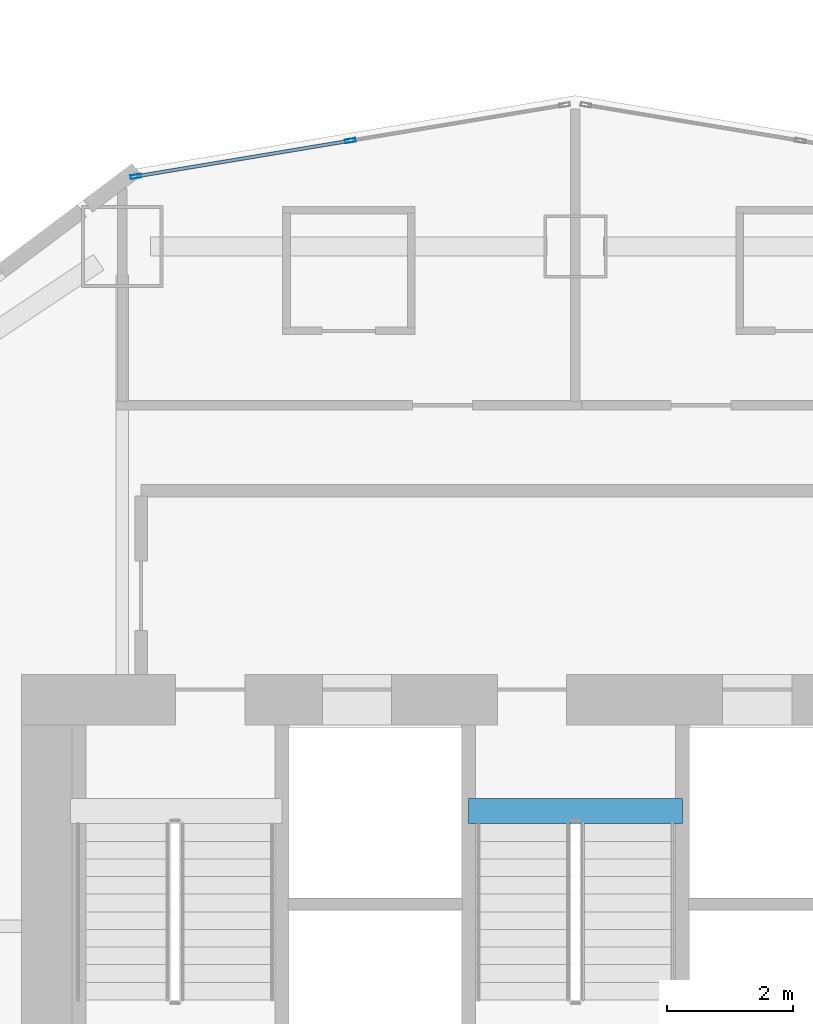
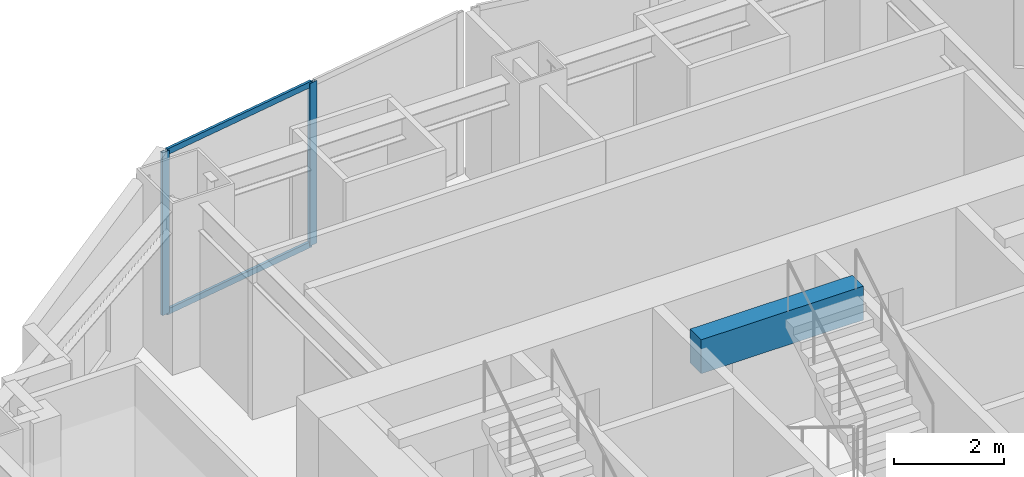
# One storey, part 2 of 20: 4 members, 1 beam, 1 element without a shape of its own.
"""IFC4 building model written with IfcOpenShell, lengths in metres."""

import ifcopenshell
import ifcopenshell.guid

model = None  # the IFC model being written
_history = None  # IfcOwnerHistory: only IFC2X3 demands one
_inside = {}  # id of a spatial element -> (the spatial element, [elements in it])
_under = {}  # id of a project, library or spatial element -> (it, [spatial elements below it])
_declared = {}  # id of a project -> (the project, [libraries it declares])
_typed = {}  # id of a type object -> (the type object, [elements of that type])
_made_of = {}  # id of a material, layer set ... -> (it, [elements and type objects made of it])


def new_model(schema):
    """Start an empty IFC model of exactly this schema.

    Asked for "IFC4X3", IfcOpenShell would pick the latest addendum, in which some entities
    have other attributes; the version numbers below select the first issue.
    IFC2X3 requires an IfcOwnerHistory on every rooted entity: one is made here for all.
    """
    global model, _history
    if schema == "IFC4X3":
        model = ifcopenshell.file(schema_version=(4, 3, 0, 0))
    else:
        model = ifcopenshell.file(schema=schema)
    _inside.clear()
    _under.clear()
    _declared.clear()
    _typed.clear()
    _made_of.clear()
    _history = None
    if model.schema == "IFC2X3":
        org = make("IfcOrganization", Name="unknown")
        user = make(
            "IfcPersonAndOrganization",
            ThePerson=make("IfcPerson", FamilyName="unknown"),
            TheOrganization=org,
        )
        app = make(
            "IfcApplication",
            ApplicationDeveloper=org,
            Version="unknown",
            ApplicationFullName="unknown",
            ApplicationIdentifier="unknown",
        )
        _history = make(
            "IfcOwnerHistory",
            OwningUser=user,
            OwningApplication=app,
            ChangeAction="ADDED",
            CreationDate=0,
        )
    return model


def make(cls, **values):
    """One entity of the class cls with the attributes given. An attribute that is None is left unset."""
    return model.create_entity(
        cls, **{name: value for name, value in values.items() if value is not None}
    )


def rooted(cls, **values):
    """An entity with a GlobalId (a new one), such as an element, a storey or a relation."""
    return make(cls, GlobalId=ifcopenshell.guid.new(), OwnerHistory=_history, **values)


def si_unit(unit_type, name, prefix=None):
    """IfcSIUnit, for example si_unit("LENGTHUNIT", "METRE", prefix="MILLI")."""
    return make("IfcSIUnit", UnitType=unit_type, Prefix=prefix, Name=name)


def assignment(units):
    """IfcUnitAssignment: the units of a project."""
    return None if units is None else make("IfcUnitAssignment", Units=units)


def point(xyz):
    """IfcCartesianPoint."""
    return None if xyz is None else make("IfcCartesianPoint", Coordinates=xyz)


def direction(xyz):
    """IfcDirection."""
    return None if xyz is None else make("IfcDirection", DirectionRatios=xyz)


def frame(location, z_axis=None, x_axis=None):
    """IfcAxis2Placement3D, a coordinate frame: its origin and axes. An axis left out is left unset."""
    return make(
        "IfcAxis2Placement3D",
        Location=point(location),
        Axis=direction(z_axis),
        RefDirection=direction(x_axis),
    )


def frame_2d(location, x_axis=None):
    """IfcAxis2Placement2D, a coordinate frame in the plane: its origin and x axis."""
    return make(
        "IfcAxis2Placement2D", Location=point(location), RefDirection=direction(x_axis)
    )


def origin():
    """The frame at (0, 0, 0) with its axes left unset."""
    return frame((0.0, 0.0, 0.0))


def origin_2d():
    """The frame at (0, 0) in the plane with its x axis left unset."""
    return frame_2d((0.0, 0.0))


def place(relative_to, where):
    """IfcLocalPlacement: puts the frame where relative to a parent placement (None: the world)."""
    return make(
        "IfcLocalPlacement", PlacementRelTo=relative_to, RelativePlacement=where
    )


def context(
    kind, dimensions, precision=None, world=None, true_north=None, identifier=None
):
    """IfcGeometricRepresentationContext, for example the 3D "Model" context."""
    return make(
        "IfcGeometricRepresentationContext",
        ContextIdentifier=identifier,
        ContextType=kind,
        CoordinateSpaceDimension=dimensions,
        Precision=precision,
        WorldCoordinateSystem=world,
        TrueNorth=true_north,
    )


def subcontext(parent, identifier, kind, view, scale=None):
    """IfcGeometricRepresentationSubContext, for example "Body" below "Model"."""
    return make(
        "IfcGeometricRepresentationSubContext",
        ContextIdentifier=identifier,
        ContextType=kind,
        ParentContext=parent,
        TargetScale=scale,
        TargetView=view,
    )


def project(units=None, contexts=None):
    """IfcProject with its units and contexts."""
    return rooted(
        "IfcProject",
        Name="project",
        RepresentationContexts=contexts,
        UnitsInContext=assignment(units),
    )


def spatial(cls, under=None, at=None, **own):
    """A site, building, storey or space (cls), placed at a placement, below another one or the project."""
    s = rooted(cls, ObjectPlacement=at, **own)
    if under is not None:
        _under.setdefault(under.id(), (under, []))[1].append(s)
    return s


def profile(cls, at=None, kind="AREA", **sizes):
    """A parametric profile (cls). Its sizes go by their IFC names, for example OverallWidth=200.0."""
    return make(cls, ProfileType=kind, Position=at, **sizes)


def rectangle(**sizes):
    """IfcRectangleProfileDef."""
    return profile("IfcRectangleProfileDef", **sizes)


def hollow_rectangle(**sizes):
    """IfcRectangleHollowProfileDef."""
    return profile("IfcRectangleHollowProfileDef", **sizes)


def extrude(swept, where, along, depth):
    """IfcExtrudedAreaSolid: the profile swept, set in the frame where, extruded along a direction by depth."""
    return make(
        "IfcExtrudedAreaSolid",
        SweptArea=swept,
        Position=where,
        ExtrudedDirection=direction(along),
        Depth=depth,
    )


def shape(context_of_items, identifier, shape_type, items):
    """IfcShapeRepresentation: the items that make up one representation, for example the "Body"."""
    return make(
        "IfcShapeRepresentation",
        ContextOfItems=context_of_items,
        RepresentationIdentifier=identifier,
        RepresentationType=shape_type,
        Items=items,
    )


def material(Name=None, Category=None):
    """IfcMaterial."""
    return make("IfcMaterial", Name=Name, Category=Category)


def layer(
    of_material, thickness, ventilated=None, Name=None, Category=None, Priority=None
):
    """IfcMaterialLayer: one layer of a wall or slab, of a material (None: an air gap)."""
    return make(
        "IfcMaterialLayer",
        Material=of_material,
        LayerThickness=thickness,
        IsVentilated=ventilated,
        Name=Name,
        Category=Category,
        Priority=Priority,
    )


def layer_set(layers, Name=None):
    """IfcMaterialLayerSet."""
    return make("IfcMaterialLayerSet", MaterialLayers=layers, LayerSetName=Name)


def material_profile(
    of_material, cross_section, Name=None, Category=None, Priority=None
):
    """IfcMaterialProfile: a cross section and its material."""
    return make(
        "IfcMaterialProfile",
        Name=Name,
        Material=of_material,
        Profile=cross_section,
        Priority=Priority,
        Category=Category,
    )


def profile_set(profiles, Name=None, composite=None):
    """IfcMaterialProfileSet."""
    return make(
        "IfcMaterialProfileSet",
        Name=Name,
        MaterialProfiles=profiles,
        CompositeProfile=composite,
    )


def made_of(thing, what):
    """Note that an element or type object is made of a material, layer set ...; save() writes the relation."""
    if what is not None:
        _made_of.setdefault(what.id(), (what, []))[1].append(thing)
    return thing


def type_object(cls, material=None, **own):
    """A type object (cls), such as IfcWallType, which elements share."""
    return made_of(rooted(cls, **own), material)


def element(
    cls,
    number,
    at=None,
    inside=None,
    cuts=None,
    type_object=None,
    material=None,
    context=None,
    identifier="Body",
    shape_type=None,
    held_by="IfcProductDefinitionShape",
    body=None,
    shapes=None,
    **own,
):
    """One element of the class cls, such as IfcWall. Its Tag is "e" and its number.

    at: its placement. inside: the storey or other place that contains it. cuts: it is an
    opening in that element (IfcRelVoidsElement). A single representation is given by context,
    identifier, shape_type and body (its items); several are given by shapes. held_by: the class
    of the entity that holds the representations. save() writes the other relations.
    """
    e = rooted(cls, Tag="e%d" % number, ObjectPlacement=at, **own)
    if body is not None:
        shapes = [shape(context, identifier, shape_type, body)]
    if shapes is not None:
        e.Representation = make(held_by, Representations=shapes)
    if inside is not None:
        _inside.setdefault(inside.id(), (inside, []))[1].append(e)
    if cuts is not None:
        rooted(
            "IfcRelVoidsElement", RelatingBuildingElement=cuts, RelatedOpeningElement=e
        )
    if type_object is not None:
        _typed.setdefault(type_object.id(), (type_object, []))[1].append(e)
    return made_of(e, material)


def aggregate(whole, parts):
    """IfcRelAggregates: a whole, such as a stair, and the parts it consists of."""
    return rooted("IfcRelAggregates", RelatingObject=whole, RelatedObjects=parts)


def save(model, path):
    """Write the relations noted so far, then the file.

    IfcRelAggregates (storeys below a building ...), IfcRelContainedInSpatialStructure (elements
    in a storey), IfcRelDefinesByType, IfcRelAssociatesMaterial and IfcRelDeclares: one each for
    every whole, place, type object, material and project.
    """
    for whole, parts in _under.values():
        aggregate(whole, parts)
    for where, things in _inside.values():
        rooted(
            "IfcRelContainedInSpatialStructure",
            RelatedElements=things,
            RelatingStructure=where,
        )
    for kind, things in _typed.values():
        rooted("IfcRelDefinesByType", RelatedObjects=things, RelatingType=kind)
    for what, things in _made_of.values():
        rooted("IfcRelAssociatesMaterial", RelatedObjects=things, RelatingMaterial=what)
    for by, libraries in _declared.values():
        rooted("IfcRelDeclares", RelatingContext=by, RelatedDefinitions=libraries)
    model.write(path)


model = new_model("IFC4")

# Units and contexts
model_context = context("Model", 3, precision=1e-05, world=origin(), true_north=direction((0.0, 1.0)))
body_context = subcontext(model_context, "Body", "Model", "MODEL_VIEW")
ifc_project = project(units=[si_unit("LENGTHUNIT", "METRE"), si_unit("AREAUNIT", "SQUARE_METRE"), si_unit("VOLUMEUNIT", "CUBIC_METRE"), si_unit("PLANEANGLEUNIT", "RADIAN"), si_unit("MASSUNIT", "GRAM", prefix="KILO")], contexts=[model_context])

# Site, building, storey
site_placement = place(None, origin())
site = spatial("IfcSite", under=ifc_project, at=site_placement, CompositionType="ELEMENT")
building_placement = place(site_placement, origin())
building = spatial("IfcBuilding", under=site, at=building_placement, Name="Haolan Belvedere Tower", CompositionType="ELEMENT")
storey_placement = place(building_placement, frame((0.0, 0.0, 24.0)))
storey = spatial("IfcBuildingStorey", under=building, at=storey_placement, Name="L05", CompositionType="ELEMENT", Elevation=24.0)

# Beam
ifc_material_1 = material(Name="Concrete C50/60", Category="concrete")
ifc_material_profile_1 = material_profile(ifc_material_1, rectangle(XDim=0.39990234375, YDim=0.75, at=origin_2d()), Name="Concrete C50/60")
ifc_profile_set_1 = profile_set([ifc_material_profile_1], Name="Concrete C50/60")
beam_type = type_object("IfcBeamType", Name="BM-RC400x750", PredefinedType="T_BEAM", material=ifc_profile_set_1)
beam_placement = place(storey_placement, frame((36.699951171875, 41.429931640625, 3.425048828125), z_axis=(1.0, 0.0, 0.0), x_axis=(0.0, 1.0, 0.0)))
element("IfcBeam", 1, at=beam_placement, inside=storey, type_object=beam_type, Name="L06 stair ST3 RC header trimmer beam", PredefinedType="BEAM", context=body_context, shape_type="SweptSolid", body=[
    extrude(rectangle(XDim=0.39990234375, YDim=0.75, at=origin_2d()), origin(), (0.0, 0.0, 1.0), 3.400146484375),
])

# Curtain wall, members
ifc_material_2 = material(Name="Anodised champagne-silver aluminium 6063-T6 and Low-E glass", Category="aluminium")
ifc_layer = layer(ifc_material_2, 0.1650390625, Name="Anodised champagne-silver aluminium 6063-T6 and Low-E glass")
ifc_layer_set = layer_set([ifc_layer], Name="Anodised champagne-silver aluminium 6063-T6 and Low-E glass")
curtain_wall_type = type_object("IfcCurtainWallType", Name="CW-SYS-02", PredefinedType="NOTDEFINED", material=ifc_layer_set)
curtain_wall_placement = place(storey_placement, origin())
curtain_wall = element("IfcCurtainWall", 2, at=curtain_wall_placement, inside=storey, type_object=curtain_wall_type, Name="L05 CW-SYS-02 ribbon curtain wall 43.1", PredefinedType="NOTDEFINED")
ifc_material_3 = material(Name="Anodised aluminium 6063-T6", Category="aluminium")
ifc_material_profile_2 = material_profile(ifc_material_3, hollow_rectangle(XDim=0.06005859375, YDim=0.1650390625, WallThickness=0.00390625, at=origin_2d()), Name="Anodised aluminium 6063-T6")
ifc_profile_set_2 = profile_set([ifc_material_profile_2], Name="Anodised aluminium 6063-T6")
member_type_1 = type_object("IfcMemberType", Name="CW-SYS-02-MUL", PredefinedType="MULLION", material=ifc_profile_set_2)
member_1_placement = place(storey_placement, frame((34.82421875, 52.082275390625, 0.0), z_axis=(0.0, 0.0, 1.0), x_axis=(0.16440364043, -0.9863931483, 0.0)))
member_1 = element("IfcMember", 3, at=member_1_placement, type_object=member_type_1, Name="CW-02 mullion 2", PredefinedType="MULLION", context=body_context, shape_type="SweptSolid", body=[
    extrude(hollow_rectangle(XDim=0.06005859375, YDim=0.1650390625, WallThickness=0.00390625, at=origin_2d()), origin(), (0.0, 0.0, 1.0), 3.60009765625),
])
member_2_placement = place(storey_placement, frame((31.416259765625, 51.514404296875, 0.0), z_axis=(0.0, 0.0, 1.0), x_axis=(0.16440364043, -0.9863931483, 0.0)))
member_2 = element("IfcMember", 4, at=member_2_placement, type_object=member_type_1, Name="CW-02 mullion 3", PredefinedType="MULLION", context=body_context, shape_type="SweptSolid", body=[
    extrude(hollow_rectangle(XDim=0.06005859375, YDim=0.1650390625, WallThickness=0.00390625, at=origin_2d()), origin(), (0.0, 0.0, 1.0), 3.60009765625),
])
ifc_material_profile_3 = material_profile(ifc_material_3, hollow_rectangle(XDim=0.054931640625, YDim=0.1298828125, WallThickness=0.00390625, at=origin_2d()), Name="Anodised aluminium 6063-T6")
ifc_profile_set_3 = profile_set([ifc_material_profile_3], Name="Anodised aluminium 6063-T6")
member_type_2 = type_object("IfcMemberType", Name="CW-SYS-02-TRN", PredefinedType="USERDEFINED", material=ifc_profile_set_3)
member_3_placement = place(storey_placement, frame((34.794677734375, 52.077392578125, 0.027587890625), z_axis=(-0.986395867289, -0.164387326137, 0.0), x_axis=(0.164387326137, -0.986395867289, 0.0)))
member_3 = element("IfcMember", 5, at=member_3_placement, type_object=member_type_2, Name="CW-02 transom 2.1", ObjectType="TRANSOM", PredefinedType="USERDEFINED", context=body_context, shape_type="SweptSolid", body=[
    extrude(hollow_rectangle(XDim=0.054931640625, YDim=0.1298828125, WallThickness=0.00390625, at=origin_2d()), origin(), (0.0, 0.0, 1.0), 3.39501953125),
])
member_4_placement = place(storey_placement, frame((34.794677734375, 52.077392578125, 3.572509765625), z_axis=(-0.986395867289, -0.164387326137, 0.0), x_axis=(0.164387326137, -0.986395867289, 0.0)))
member_4 = element("IfcMember", 6, at=member_4_placement, type_object=member_type_2, Name="CW-02 transom 2.2", ObjectType="TRANSOM", PredefinedType="USERDEFINED", context=body_context, shape_type="SweptSolid", body=[
    extrude(hollow_rectangle(XDim=0.054931640625, YDim=0.1298828125, WallThickness=0.00390625, at=origin_2d()), origin(), (0.0, 0.0, 1.0), 3.39501953125),
])
aggregate(curtain_wall, [member_1, member_2, member_3, member_4])

save(model, "model.ifc")
